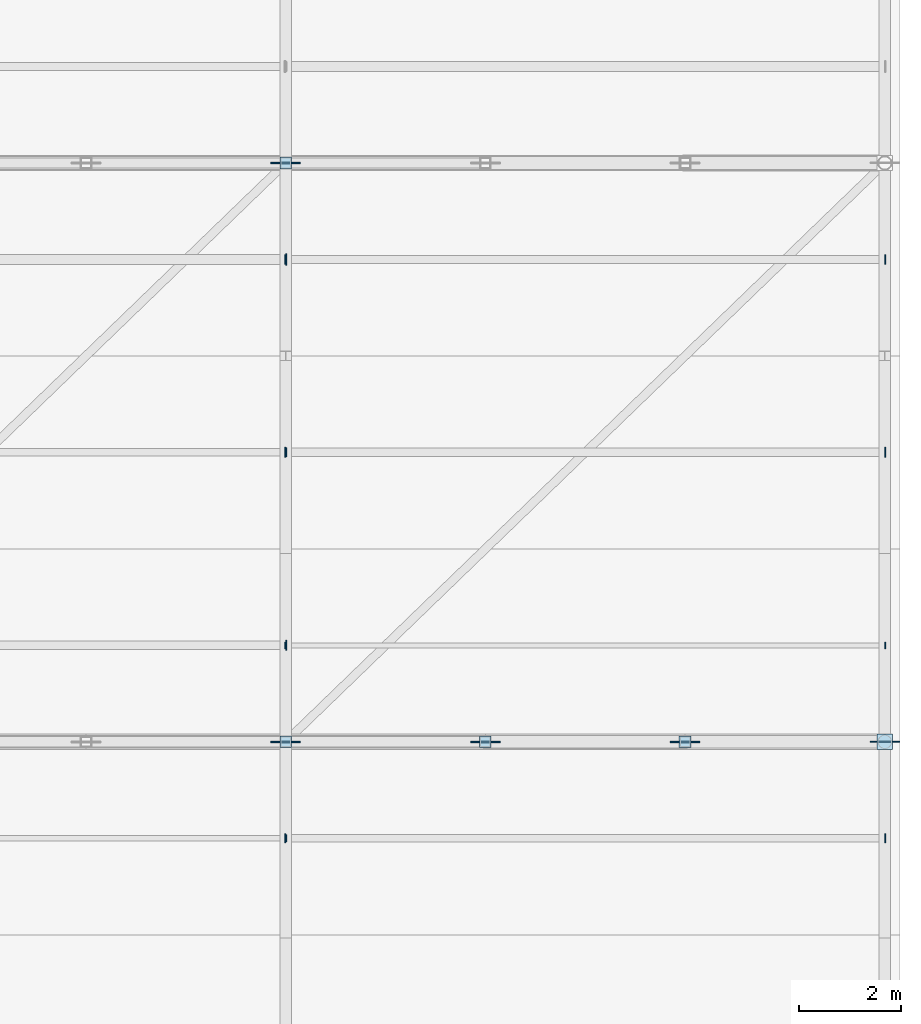
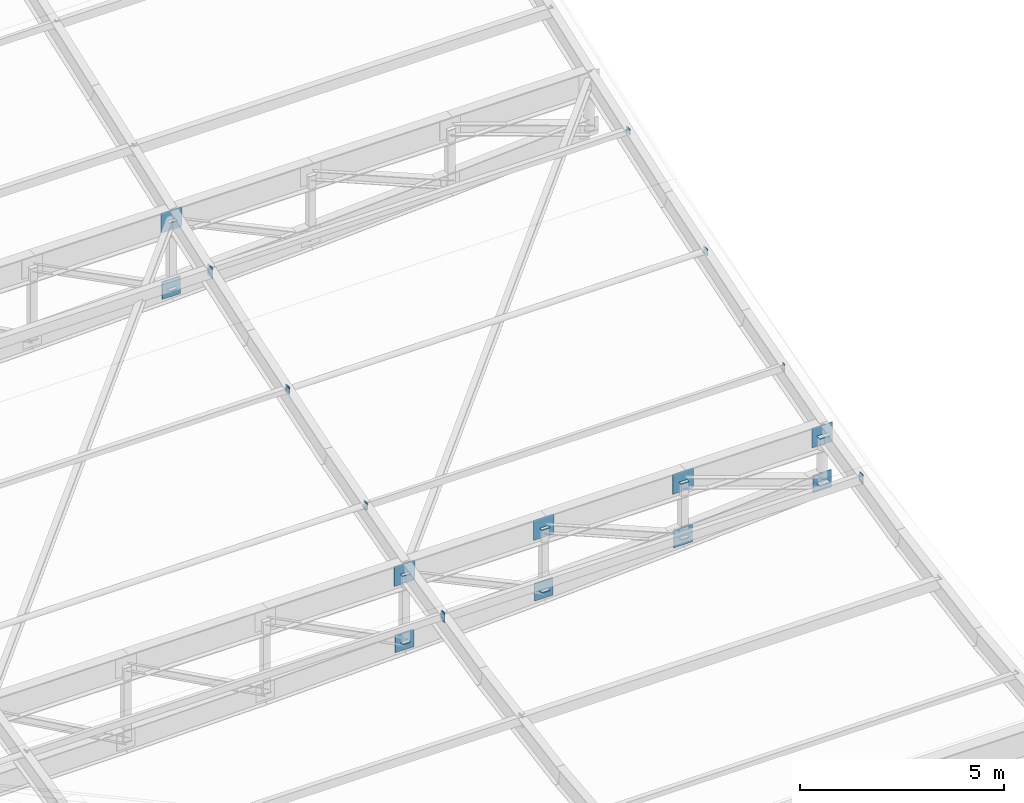
# One storey, part 56 of 65: 32 plates.
"""IFC4 building model written with IfcOpenShell, lengths in metres."""

from ifc_helpers import new_model, si_unit, direction, frame, origin, origin_2d, place, context, subcontext, project, spatial, rectangle, extrude, material, layer, layer_set, type_object, element, save


model = new_model("IFC4")

# Units and contexts
model_context = context("Model", 3, precision=1e-05, world=origin(), true_north=direction((0.0, 1.0)))
body_context = subcontext(model_context, "Body", "Model", "MODEL_VIEW")
ifc_project = project(units=[si_unit("LENGTHUNIT", "METRE"), si_unit("AREAUNIT", "SQUARE_METRE"), si_unit("VOLUMEUNIT", "CUBIC_METRE"), si_unit("PLANEANGLEUNIT", "RADIAN"), si_unit("MASSUNIT", "GRAM", prefix="KILO"), si_unit("POWERUNIT", "WATT"), si_unit("THERMODYNAMICTEMPERATUREUNIT", "KELVIN")], contexts=[model_context])

# Site, building, storey
site_placement = place(None, origin())
site = spatial("IfcSite", under=ifc_project, at=site_placement, CompositionType="ELEMENT")
building_placement = place(site_placement, origin())
building = spatial("IfcBuilding", under=site, at=building_placement, Name="Kelmbourne Parkland Aquatics Centre", CompositionType="ELEMENT")
storey_placement = place(building_placement, frame((0.0, 0.0, 27.0)))
storey = spatial("IfcBuildingStorey", under=building, at=storey_placement, Name="RF", CompositionType="ELEMENT", Elevation=27.0)

# Plates
ifc_material = material(Name="Welded plate steel AS/NZS 3678 Grade 350", Category="steel")
ifc_layer_1 = layer(ifc_material, 0.02001953125)
ifc_layer_set_1 = layer_set([ifc_layer_1], Name="Welded plate steel AS/NZS 3678 Grade 350")
plate_type_1 = type_object("IfcPlateType", Name="PL-CAP-20", PredefinedType="USERDEFINED", material=ifc_layer_set_1)
for number, where, z_axis, x_axis, name in (
    (1, (163.39990234375, 69.199951171875, -12.97705078125), (0.0, 0.0, 1.0), (1.0, 0.0, 0.0), "Hollow end cap plate CAP-0189"),
    (2, (163.39990234375, 69.199951171875, -10.94140625), (0.0, 0.0, 1.0), (1.0, 0.0, 0.0), "Hollow end cap plate CAP-0190"),
    (3, (167.333251953125, 69.199951171875, -12.811767578125), (0.0, 0.0, 1.0), (1.0, 0.0, 0.0), "Hollow end cap plate CAP-0191"),
    (4, (167.333251953125, 69.199951171875, -10.94140625), (0.0, 0.0, 1.0), (1.0, 0.0, 0.0), "Hollow end cap plate CAP-0192"),
    (5, (171.2666015625, 69.199951171875, -12.59912109375), (0.0, 0.0, 1.0), (1.0, 0.0, 0.0), "Hollow end cap plate CAP-0193"),
    (6, (171.2666015625, 69.199951171875, -10.94140625), (0.0, 0.0, 1.0), (1.0, 0.0, 0.0), "Hollow end cap plate CAP-0194"),
    (7, (163.39990234375, 80.60009765625, -9.341552734375), (0.0, 0.0, 1.0), (1.0, 0.0, 0.0), "Hollow end cap plate CAP-0215"),
    (8, (163.39990234375, 80.60009765625, -7.30615234375), (0.0, 0.0, 1.0), (1.0, 0.0, 0.0), "Hollow end cap plate CAP-0216"),
):
    element("IfcPlate", number, at=place(storey_placement, frame(where, z_axis=z_axis, x_axis=x_axis)), inside=storey, type_object=plate_type_1, Name=name, ObjectType="END CAP PLATE", PredefinedType="USERDEFINED", context=body_context, shape_type="SweptSolid", body=[
        extrude(rectangle(XDim=0.22998046875, YDim=0.22998046875, at=origin_2d()), origin(), (0.0, 0.0, 1.0), 0.02001953125),
    ])
plate_1_placement = place(storey_placement, frame((163.408935546875, 67.300048828125, -11.1669921875), z_axis=(0.0, 0.0, 1.0), x_axis=(1.0, 0.0, 0.0)))
element("IfcPlate", 9, at=plate_1_placement, inside=storey, type_object=plate_type_1, Name="Hollow end cap plate CAP-0442", ObjectType="END CAP PLATE", PredefinedType="USERDEFINED", context=body_context, shape_type="SweptSolid", body=[
    extrude(rectangle(XDim=0.02001953125, YDim=0.1298828125, at=origin_2d()), origin(), (0.0, 0.0, 1.0), 0.22998046875),
])
for number, where, z_axis, x_axis, name in (
    (10, (163.39111328125, 67.300048828125, -11.216796875), (0.0, 0.0, 1.0), (-1.0, 0.0, 0.0), "Hollow end cap plate CAP-0443"),
    (11, (175.208984375, 67.300048828125, -11.216796875), (0.0, 0.0, 1.0), (1.0, 0.0, 0.0), "Hollow end cap plate CAP-0444"),
):
    element("IfcPlate", number, at=place(storey_placement, frame(where, z_axis=z_axis, x_axis=x_axis)), inside=storey, type_object=plate_type_1, Name=name, ObjectType="END CAP PLATE", PredefinedType="USERDEFINED", context=body_context, shape_type="SweptSolid", body=[
        extrude(rectangle(XDim=0.02001953125, YDim=0.179931640625, at=origin_2d()), origin(), (0.0, 0.0, 1.0), 0.280029296875),
    ])
plate_2_placement = place(storey_placement, frame((163.408935546875, 71.10009765625, -10.15576171875), z_axis=(0.0, 0.0, 1.0), x_axis=(1.0, 0.0, 0.0)))
element("IfcPlate", 12, at=plate_2_placement, inside=storey, type_object=plate_type_1, Name="Hollow end cap plate CAP-0450", ObjectType="END CAP PLATE", PredefinedType="USERDEFINED", context=body_context, shape_type="SweptSolid", body=[
    extrude(rectangle(XDim=0.02001953125, YDim=0.1982421875, at=origin_2d()), origin(), (0.0, 0.0, 1.0), 0.1982421875),
])
for number, where, z_axis, x_axis, name in (
    (13, (163.39111328125, 71.10009765625, -10.1875), (0.0, 0.0, 1.0), (-1.0, 0.0, 0.0), "Hollow end cap plate CAP-0451"),
    (14, (175.208984375, 71.10009765625, -10.1875), (0.0, 0.0, 1.0), (1.0, 0.0, 0.0), "Hollow end cap plate CAP-0452"),
):
    element("IfcPlate", number, at=place(storey_placement, frame(where, z_axis=z_axis, x_axis=x_axis)), inside=storey, type_object=plate_type_1, Name=name, ObjectType="END CAP PLATE", PredefinedType="USERDEFINED", context=body_context, shape_type="SweptSolid", body=[
        extrude(rectangle(XDim=0.02001953125, YDim=0.1298828125, at=origin_2d()), origin(), (0.0, 0.0, 1.0), 0.22998046875),
    ])
plate_3_placement = place(storey_placement, frame((163.408935546875, 74.89990234375, -8.98583984375), z_axis=(0.0, 0.0, 1.0), x_axis=(1.0, 0.0, 0.0)))
element("IfcPlate", 15, at=plate_3_placement, inside=storey, type_object=plate_type_1, Name="Hollow end cap plate CAP-0458", ObjectType="END CAP PLATE", PredefinedType="USERDEFINED", context=body_context, shape_type="SweptSolid", body=[
    extrude(rectangle(XDim=0.02001953125, YDim=0.179931640625, at=origin_2d()), origin(), (0.0, 0.0, 1.0), 0.179931640625),
])
for number, where, z_axis, x_axis, name in (
    (16, (163.39111328125, 74.89990234375, -9.004150390625), (0.0, 0.0, 1.0), (-1.0, 0.0, 0.0), "Hollow end cap plate CAP-0459"),
    (17, (175.208984375, 74.89990234375, -9.004150390625), (0.0, 0.0, 1.0), (1.0, 0.0, 0.0), "Hollow end cap plate CAP-0460"),
):
    element("IfcPlate", number, at=place(storey_placement, frame(where, z_axis=z_axis, x_axis=x_axis)), inside=storey, type_object=plate_type_1, Name=name, ObjectType="END CAP PLATE", PredefinedType="USERDEFINED", context=body_context, shape_type="SweptSolid", body=[
        extrude(rectangle(XDim=0.02001953125, YDim=0.1982421875, at=origin_2d()), origin(), (0.0, 0.0, 1.0), 0.1982421875),
    ])
for number, where, z_axis, x_axis, name in (
    (18, (163.39111328125, 78.699951171875, -7.7060546875), (0.0, 0.0, 1.0), (-1.0, 0.0, 0.0), "Hollow end cap plate CAP-0467"),
    (19, (175.208984375, 78.699951171875, -7.7060546875), (0.0, 0.0, 1.0), (1.0, 0.0, 0.0), "Hollow end cap plate CAP-0468"),
):
    element("IfcPlate", number, at=place(storey_placement, frame(where, z_axis=z_axis, x_axis=x_axis)), inside=storey, type_object=plate_type_1, Name=name, ObjectType="END CAP PLATE", PredefinedType="USERDEFINED", context=body_context, shape_type="SweptSolid", body=[
        extrude(rectangle(XDim=0.02001953125, YDim=0.179931640625, at=origin_2d()), origin(), (0.0, 0.0, 1.0), 0.179931640625),
    ])
ifc_layer_2 = layer(ifc_material, 0.02392578125)
ifc_layer_set_2 = layer_set([ifc_layer_2], Name="Welded plate steel AS/NZS 3678 Grade 350")
plate_type_2 = type_object("IfcPlateType", Name="PL-CAP-24", PredefinedType="USERDEFINED", material=ifc_layer_set_2)
for number, where, z_axis, x_axis, name in (
    (20, (175.199951171875, 69.199951171875, -12.343505859375), (0.0, 0.0, 1.0), (1.0, 0.0, 0.0), "Hollow end cap plate CAP-0195"),
    (21, (175.199951171875, 69.199951171875, -10.94140625), (0.0, 0.0, 1.0), (1.0, 0.0, 0.0), "Hollow end cap plate CAP-0196"),
):
    element("IfcPlate", number, at=place(storey_placement, frame(where, z_axis=z_axis, x_axis=x_axis)), inside=storey, type_object=plate_type_2, Name=name, ObjectType="END CAP PLATE", PredefinedType="USERDEFINED", context=body_context, shape_type="SweptSolid", body=[
        extrude(rectangle(XDim=0.302978515625, YDim=0.302978515625, at=origin_2d()), origin(), (0.0, 0.0, 1.0), 0.02392578125),
    ])
plate_4_placement = place(storey_placement, frame((163.410888671875, 78.699951171875, -7.856201171875), z_axis=(0.0, 0.0, 1.0), x_axis=(1.0, 0.0, 0.0)))
element("IfcPlate", 22, at=plate_4_placement, inside=storey, type_object=plate_type_2, Name="Hollow end cap plate CAP-0466", ObjectType="END CAP PLATE", PredefinedType="USERDEFINED", context=body_context, shape_type="SweptSolid", body=[
    extrude(rectangle(XDim=0.02392578125, YDim=0.22998046875, at=origin_2d()), origin(), (0.0, 0.0, 1.0), 0.330078125),
])
ifc_layer_3 = layer(ifc_material, 0.02001953125)
ifc_layer_set_3 = layer_set([ifc_layer_3], Name="Welded plate steel AS/NZS 3678 Grade 350")
plate_type_3 = type_object("IfcPlateType", Name="PL-GUS-1", PredefinedType="USERDEFINED", material=ifc_layer_set_3)
plate_5_placement = place(storey_placement, frame((175.199951171875, 69.199951171875, -11.23046875), z_axis=(0.0, 0.0, 1.0), x_axis=(1.0, 0.0, 0.0)))
element("IfcPlate", 23, at=plate_5_placement, inside=storey, type_object=plate_type_3, Name="Truss top node TN-1 gusset plate R06-N12", ObjectType="GUSSET PLATE", PredefinedType="USERDEFINED", context=body_context, shape_type="SweptSolid", body=[
    extrude(rectangle(XDim=0.580078125, YDim=0.02001953125, at=origin_2d()), origin(), (0.0, 0.0, 1.0), 0.580078125),
])
plate_6_placement = place(storey_placement, frame((175.199951171875, 69.199951171875, -12.58056640625), z_axis=(0.0, 0.0, 1.0), x_axis=(1.0, 0.0, 0.0)))
element("IfcPlate", 24, at=plate_6_placement, inside=storey, type_object=plate_type_3, Name="Truss bottom node TN-1 gusset plate R06-B12", ObjectType="GUSSET PLATE", PredefinedType="USERDEFINED", context=body_context, shape_type="SweptSolid", body=[
    extrude(rectangle(XDim=0.52001953125, YDim=0.02001953125, at=origin_2d()), origin(), (0.0, 0.0, 1.0), 0.52001953125),
])
ifc_layer_4 = layer(ifc_material, 0.031982421875)
ifc_layer_set_4 = layer_set([ifc_layer_4], Name="Welded plate steel AS/NZS 3678 Grade 350")
plate_type_4 = type_object("IfcPlateType", Name="PL-GUS-3", PredefinedType="USERDEFINED", material=ifc_layer_set_4)
plate_7_placement = place(storey_placement, frame((163.39990234375, 69.199951171875, -11.23046875), z_axis=(0.0, 0.0, 1.0), x_axis=(1.0, 0.0, 0.0)))
element("IfcPlate", 25, at=plate_7_placement, inside=storey, type_object=plate_type_4, Name="Truss top node TN-3 gusset plate R06-N9", ObjectType="GUSSET PLATE", PredefinedType="USERDEFINED", context=body_context, shape_type="SweptSolid", body=[
    extrude(rectangle(XDim=0.580078125, YDim=0.031982421875, at=origin_2d()), origin(), (0.0, 0.0, 1.0), 0.580078125),
])
plate_8_placement = place(storey_placement, frame((163.39990234375, 69.199951171875, -13.218017578125), z_axis=(0.0, 0.0, 1.0), x_axis=(1.0, 0.0, 0.0)))
element("IfcPlate", 26, at=plate_8_placement, inside=storey, type_object=plate_type_4, Name="Truss bottom node TN-3 gusset plate R06-B9", ObjectType="GUSSET PLATE", PredefinedType="USERDEFINED", context=body_context, shape_type="SweptSolid", body=[
    extrude(rectangle(XDim=0.52001953125, YDim=0.031982421875, at=origin_2d()), origin(), (0.0, 0.0, 1.0), 0.52001953125),
])
plate_9_placement = place(storey_placement, frame((167.333251953125, 69.199951171875, -11.23046875), z_axis=(0.0, 0.0, 1.0), x_axis=(1.0, 0.0, 0.0)))
element("IfcPlate", 27, at=plate_9_placement, inside=storey, type_object=plate_type_4, Name="Truss top node TN-3 gusset plate R06-N10", ObjectType="GUSSET PLATE", PredefinedType="USERDEFINED", context=body_context, shape_type="SweptSolid", body=[
    extrude(rectangle(XDim=0.580078125, YDim=0.031982421875, at=origin_2d()), origin(), (0.0, 0.0, 1.0), 0.580078125),
])
plate_10_placement = place(storey_placement, frame((167.333251953125, 69.199951171875, -13.052734375), z_axis=(0.0, 0.0, 1.0), x_axis=(1.0, 0.0, 0.0)))
element("IfcPlate", 28, at=plate_10_placement, inside=storey, type_object=plate_type_4, Name="Truss bottom node TN-3 gusset plate R06-B10", ObjectType="GUSSET PLATE", PredefinedType="USERDEFINED", context=body_context, shape_type="SweptSolid", body=[
    extrude(rectangle(XDim=0.52001953125, YDim=0.031982421875, at=origin_2d()), origin(), (0.0, 0.0, 1.0), 0.52001953125),
])
plate_11_placement = place(storey_placement, frame((171.2666015625, 69.199951171875, -11.23046875), z_axis=(0.0, 0.0, 1.0), x_axis=(1.0, 0.0, 0.0)))
element("IfcPlate", 29, at=plate_11_placement, inside=storey, type_object=plate_type_4, Name="Truss top node TN-3 gusset plate R06-N11", ObjectType="GUSSET PLATE", PredefinedType="USERDEFINED", context=body_context, shape_type="SweptSolid", body=[
    extrude(rectangle(XDim=0.580078125, YDim=0.031982421875, at=origin_2d()), origin(), (0.0, 0.0, 1.0), 0.580078125),
])
plate_12_placement = place(storey_placement, frame((171.2666015625, 69.199951171875, -12.840087890625), z_axis=(0.0, 0.0, 1.0), x_axis=(1.0, 0.0, 0.0)))
element("IfcPlate", 30, at=plate_12_placement, inside=storey, type_object=plate_type_4, Name="Truss bottom node TN-3 gusset plate R06-B11", ObjectType="GUSSET PLATE", PredefinedType="USERDEFINED", context=body_context, shape_type="SweptSolid", body=[
    extrude(rectangle(XDim=0.52001953125, YDim=0.031982421875, at=origin_2d()), origin(), (0.0, 0.0, 1.0), 0.52001953125),
])
plate_13_placement = place(storey_placement, frame((163.39990234375, 80.60009765625, -7.59521484375), z_axis=(0.0, 0.0, 1.0), x_axis=(1.0, 0.0, 0.0)))
element("IfcPlate", 31, at=plate_13_placement, inside=storey, type_object=plate_type_4, Name="Truss top node TN-3 gusset plate R07-N9", ObjectType="GUSSET PLATE", PredefinedType="USERDEFINED", context=body_context, shape_type="SweptSolid", body=[
    extrude(rectangle(XDim=0.580078125, YDim=0.031982421875, at=origin_2d()), origin(), (0.0, 0.0, 1.0), 0.580078125),
])
plate_14_placement = place(storey_placement, frame((163.39990234375, 80.60009765625, -9.58251953125), z_axis=(0.0, 0.0, 1.0), x_axis=(1.0, 0.0, 0.0)))
element("IfcPlate", 32, at=plate_14_placement, inside=storey, type_object=plate_type_4, Name="Truss bottom node TN-3 gusset plate R07-B9", ObjectType="GUSSET PLATE", PredefinedType="USERDEFINED", context=body_context, shape_type="SweptSolid", body=[
    extrude(rectangle(XDim=0.52001953125, YDim=0.031982421875, at=origin_2d()), origin(), (0.0, 0.0, 1.0), 0.52001953125),
])

save(model, "model.ifc")
